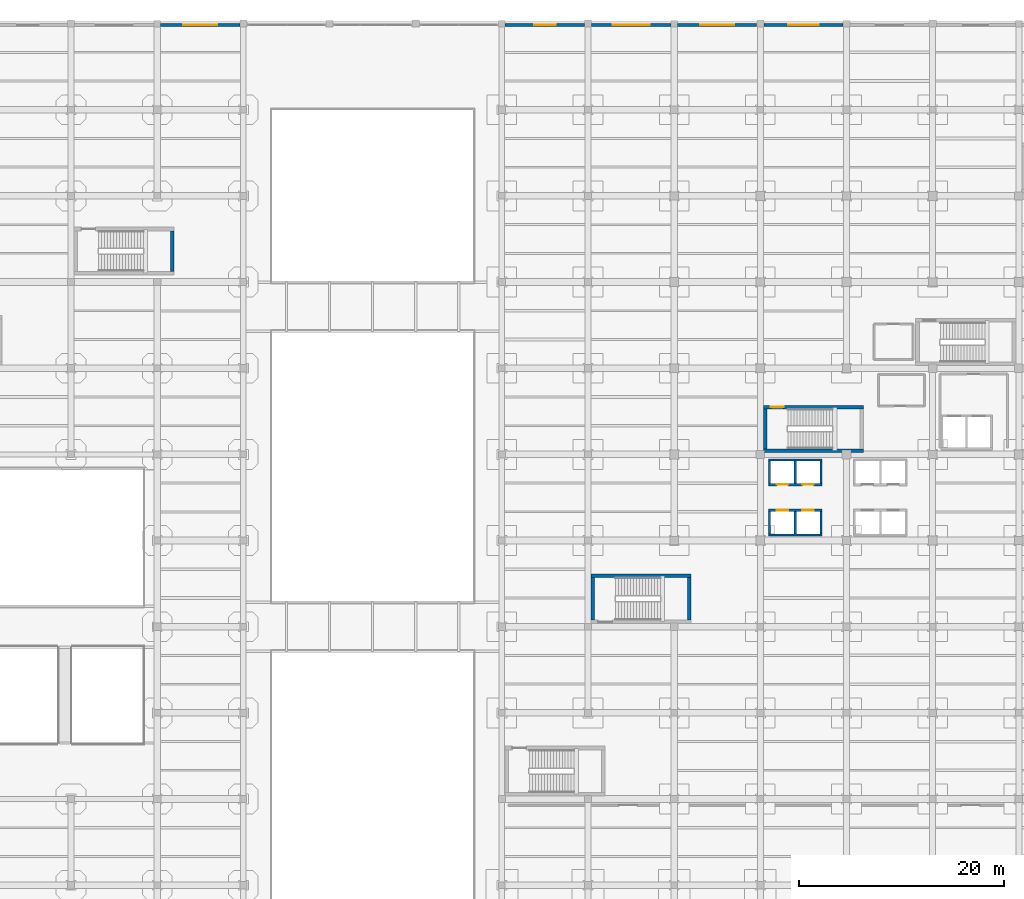
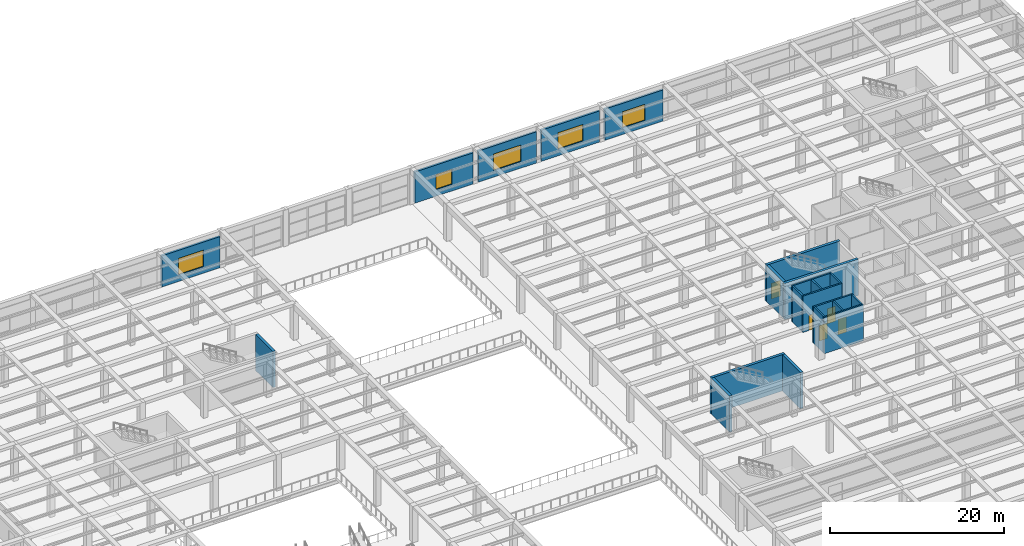
# One storey, part 50 of 65: 22 walls, 5 doors, 5 windows, 10 openings.
"""IFC4 building model written with IfcOpenShell, lengths in metres."""

from ifc_helpers import new_model, si_unit, direction, frame, frame_2d, origin, place, context, subcontext, project, spatial, rectangle, extrude, material, layer, layer_set, type_object, element, fill, save


model = new_model("IFC4")

# Units and contexts
model_context = context("Model", 3, precision=1e-05, world=origin(), true_north=direction((0.0, 1.0)))
body_context = subcontext(model_context, "Body", "Model", "MODEL_VIEW")
ifc_project = project(units=[si_unit("LENGTHUNIT", "METRE"), si_unit("AREAUNIT", "SQUARE_METRE"), si_unit("VOLUMEUNIT", "CUBIC_METRE"), si_unit("PLANEANGLEUNIT", "RADIAN"), si_unit("MASSUNIT", "GRAM", prefix="KILO")], contexts=[model_context])

# Site, building, storey
site_placement = place(None, origin())
site = spatial("IfcSite", under=ifc_project, at=site_placement, CompositionType="ELEMENT")
building_placement = place(site_placement, origin())
building = spatial("IfcBuilding", under=site, at=building_placement, Name="Almacenes y Pasaje Nevantli", CompositionType="ELEMENT")
storey_placement = place(building_placement, frame((0.0, 0.0, 16.800048828125)))
storey = spatial("IfcBuildingStorey", under=building, at=storey_placement, Name="L04", CompositionType="ELEMENT", Elevation=16.800048828125)

# Wall
ifc_material_1 = material(Name="Concrete C45/55", Category="concrete")
ifc_layer_1 = layer(ifc_material_1, 0.35009765625)
ifc_layer_set_1 = layer_set([ifc_layer_1], Name="Concrete C45/55")
wall_type_1 = type_object("IfcWallType", Name="WL-CORE-350", PredefinedType="SHEAR", material=ifc_layer_set_1)
wall_1_placement = place(storey_placement, frame((117.89990234375, 75.97509765625, 0.0), z_axis=(0.0, 0.0, 1.0), x_axis=(1.0, 0.0, 0.0)))
element("IfcWall", 1, at=wall_1_placement, inside=storey, type_object=wall_type_1, Name="L04 Exit Stair ST-01 South Core Shear Wall", PredefinedType="SHEAR", context=body_context, shape_type="SweptSolid", body=[
    extrude(rectangle(XDim=9.75, YDim=0.35009765625, at=frame_2d((4.875, 0.0))), origin(), (0.0, 0.0, 1.0), 5.099853515625),
])

# Wall, opening, door
wall_2_placement = place(storey_placement, frame((117.89990234375, 80.215087890625, 0.0), z_axis=(0.0, 0.0, 1.0), x_axis=(1.0, 0.0, 0.0)))
wall_2 = element("IfcWall", 2, at=wall_2_placement, inside=storey, type_object=wall_type_1, Name="L04 Exit Stair ST-01 North Core Shear Wall", PredefinedType="SHEAR", context=body_context, shape_type="SweptSolid", body=[
    extrude(rectangle(XDim=9.75, YDim=0.35009765625, at=frame_2d((4.875, 0.0))), origin(), (0.0, 0.0, 1.0), 5.099853515625),
])
opening_1_placement = place(wall_2_placement, frame((0.719970703125, 0.0, 0.0)))
opening_1 = element("IfcOpeningElement", 3, at=opening_1_placement, cuts=wall_2, Name="Opening SD-01-L04", PredefinedType="OPENING", context=body_context, shape_type="SweptSolid", body=[
    extrude(rectangle(XDim=1.25, YDim=2.199951171875, at=frame_2d((0.625, 1.10009765625))), frame((0.0, 0.18505859375, 0.0), z_axis=(0.0, -1.0, 0.0), x_axis=(1.0, 0.0, 0.0)), (0.0, 0.0, 1.0), 0.3701171875),
])
ifc_material_2 = material(Name="Galvanized Fire-Rated Steel", Category="steel")
door_type_1 = type_object("IfcDoorType", Name="DR-STAIR-1250", OperationType="SINGLE_SWING_LEFT", PredefinedType="DOOR", material=ifc_material_2)
door_1_placement = place(opening_1_placement, origin())
door_1 = element("IfcDoor", 4, at=door_1_placement, inside=storey, type_object=door_type_1, Name="L04 Smokeproof Exit Stair ST-01 Fire Door", OperationType="SINGLE_SWING_LEFT", OverallHeight=2.199951171875, OverallWidth=1.25, PredefinedType="DOOR", context=body_context, shape_type="SweptSolid", body=[
    extrude(rectangle(XDim=1.25, YDim=2.199951171875, at=frame_2d((0.625, 1.10009765625))), frame((0.0, 0.02490234375, 0.0), z_axis=(0.0, -1.0, 0.0), x_axis=(1.0, 0.0, 0.0)), (0.0, 0.0, 1.0), 0.050048828125),
])
fill(opening_1, door_1)

# Walls
wall_3_placement = place(storey_placement, frame((118.074951171875, 76.14990234375, 0.0), z_axis=(0.0, 0.0, 1.0), x_axis=(0.0, 1.0, 0.0)))
element("IfcWall", 5, at=wall_3_placement, inside=storey, type_object=wall_type_1, Name="L04 Exit Stair ST-01 West Core Shear Wall", PredefinedType="SHEAR", context=body_context, shape_type="SweptSolid", body=[
    extrude(rectangle(XDim=3.89013671875, YDim=0.35009765625, at=frame_2d((1.945068359375, 0.0))), origin(), (0.0, 0.0, 1.0), 5.099853515625),
])
wall_4_placement = place(storey_placement, frame((60.27490234375, 93.449951171875, 0.0), z_axis=(0.0, 0.0, 1.0), x_axis=(0.0, 1.0, 0.0)))
element("IfcWall", 6, at=wall_4_placement, inside=storey, type_object=wall_type_1, Name="L04 Exit Stair ST-05 East Core Shear Wall", PredefinedType="SHEAR", context=body_context, shape_type="SweptSolid", body=[
    extrude(rectangle(XDim=3.949951171875, YDim=0.35009765625, at=frame_2d((1.97509765625, 0.0))), origin(), (0.0, 0.0, 1.0), 5.099853515625),
])
wall_5_placement = place(storey_placement, frame((101.10009765625, 63.77490234375, 0.0), z_axis=(0.0, 0.0, 1.0), x_axis=(1.0, 0.0, 0.0)))
element("IfcWall", 7, at=wall_5_placement, inside=storey, type_object=wall_type_1, Name="L04 Exit Stair ST-13 North Core Shear Wall", PredefinedType="SHEAR", context=body_context, shape_type="SweptSolid", body=[
    extrude(rectangle(XDim=9.75, YDim=0.35009765625, at=frame_2d((4.875, 0.0))), origin(), (0.0, 0.0, 1.0), 5.099853515625),
])
for number, where, z_axis, x_axis, name in (
    (8, (101.27490234375, 59.449951171875, 0.0), (0.0, 0.0, 1.0), (0.0, 1.0, 0.0), "L04 Exit Stair ST-13 West Core Shear Wall"),
    (9, (110.675048828125, 59.449951171875, 0.0), (0.0, 0.0, 1.0), (0.0, 1.0, 0.0), "L04 Exit Stair ST-13 East Core Shear Wall"),
):
    element("IfcWall", number, at=place(storey_placement, frame(where, z_axis=z_axis, x_axis=x_axis)), inside=storey, type_object=wall_type_1, Name=name, PredefinedType="SHEAR", context=body_context, shape_type="SweptSolid", body=[
        extrude(rectangle(XDim=4.150146484375, YDim=0.35009765625, at=frame_2d((2.0751953125, 0.0))), origin(), (0.0, 0.0, 1.0), 5.099853515625),
    ])

# Wall, opening, window
ifc_material_3 = material(Name="Architectural Precast Concrete C35/45 Spandrel Wall", Category="concrete")
ifc_layer_2 = layer(ifc_material_3, 0.280029296875)
ifc_layer_set_2 = layer_set([ifc_layer_2], Name="Architectural Precast Concrete C35/45 Spandrel Wall")
wall_type_2 = type_object("IfcWallType", Name="WL-EXT-CANTERA-280", PredefinedType="SOLIDWALL", material=ifc_layer_set_2)
wall_6_placement = place(storey_placement, frame((59.1279296875, 117.449951171875, 0.0), z_axis=(0.0, 0.0, 1.0), x_axis=(1.0, 0.0, 0.0)))
wall_6 = element("IfcWall", 10, at=wall_6_placement, inside=storey, type_object=wall_type_2, Name="L04 Boulevard Frieze Oculus Wall Bay 8", PredefinedType="SOLIDWALL", context=body_context, shape_type="SweptSolid", body=[
    extrude(rectangle(XDim=7.719970703125, YDim=0.280029296875, at=frame_2d((3.85986328125, 0.0))), origin(), (0.0, 0.0, 1.0), 4.3798828125),
])
opening_2_placement = place(wall_6_placement, frame((2.221923828125, 0.0, 0.949951171875)))
opening_2 = element("IfcOpeningElement", 11, at=opening_2_placement, cuts=wall_6, Name="Opening WT-02-135", PredefinedType="OPENING", context=body_context, shape_type="SweptSolid", body=[
    extrude(rectangle(XDim=3.300048828125, YDim=2.300048828125, at=frame_2d((1.64990234375, 1.14990234375))), frame((0.0, 0.14990234375, 0.0), z_axis=(0.0, -1.0, 0.0), x_axis=(1.0, 0.0, 0.0)), (0.0, 0.0, 1.0), 0.300048828125),
])
ifc_material_4 = material(Name="Thermally Broken Aluminium and Low-E Double Glazing", Category="aluminium")
window_type_1 = type_object("IfcWindowType", Name="WN-OCU-3300", PartitioningType="SINGLE_PANEL", PredefinedType="WINDOW", material=ifc_material_4)
window_1_placement = place(opening_2_placement, origin())
window_1 = element("IfcWindow", 12, at=window_1_placement, inside=storey, type_object=window_type_1, Name="L04 Exterior Window WT-02 #135", OverallHeight=2.300048828125, OverallWidth=3.300048828125, PartitioningType="SINGLE_PANEL", PredefinedType="WINDOW", context=body_context, shape_type="SweptSolid", body=[
    extrude(rectangle(XDim=3.300048828125, YDim=2.300048828125, at=frame_2d((1.64990234375, 1.14990234375))), frame((0.0, 0.030029296875, 0.0), z_axis=(0.0, -1.0, 0.0), x_axis=(1.0, 0.0, 0.0)), (0.0, 0.0, 1.0), 0.06005859375),
])
fill(opening_2, window_1)

wall_7_placement = place(storey_placement, frame((92.72802734375, 117.449951171875, 0.0), z_axis=(0.0, 0.0, 1.0), x_axis=(1.0, 0.0, 0.0)))
wall_7 = element("IfcWall", 13, at=wall_7_placement, inside=storey, type_object=wall_type_2, Name="L04 Boulevard Frieze Oculus Wall Bay 12", PredefinedType="SOLIDWALL", context=body_context, shape_type="SweptSolid", body=[
    extrude(rectangle(XDim=7.719970703125, YDim=0.280029296875, at=frame_2d((3.85986328125, 0.0))), origin(), (0.0, 0.0, 1.0), 4.3798828125),
])
opening_3_placement = place(wall_7_placement, frame((2.822021484375, 0.0, 0.949951171875)))
opening_3 = element("IfcOpeningElement", 14, at=opening_3_placement, cuts=wall_7, Name="Opening WT-06-136", PredefinedType="OPENING", context=body_context, shape_type="SweptSolid", body=[
    extrude(rectangle(XDim=2.10009765625, YDim=2.10009765625, at=frame_2d((1.050048828125, 1.050048828125))), frame((0.0, 0.14990234375, 0.0), z_axis=(0.0, -1.0, 0.0), x_axis=(1.0, 0.0, 0.0)), (0.0, 0.0, 1.0), 0.300048828125),
])
ifc_material_5 = material(Name="Thermally Broken Aluminium and Low-E Double Glazing", Category="aluminium")
window_type_2 = type_object("IfcWindowType", Name="WN-OCU-2100", PartitioningType="SINGLE_PANEL", PredefinedType="WINDOW", material=ifc_material_5)
window_2_placement = place(opening_3_placement, origin())
window_2 = element("IfcWindow", 15, at=window_2_placement, inside=storey, type_object=window_type_2, Name="L04 Exterior Window WT-06 #136", OverallHeight=2.10009765625, OverallWidth=2.10009765625, PartitioningType="SINGLE_PANEL", PredefinedType="WINDOW", context=body_context, shape_type="SweptSolid", body=[
    extrude(rectangle(XDim=2.10009765625, YDim=2.10009765625, at=frame_2d((1.050048828125, 1.050048828125))), frame((0.0, 0.030029296875, 0.0), z_axis=(0.0, -1.0, 0.0), x_axis=(1.0, 0.0, 0.0)), (0.0, 0.0, 1.0), 0.06005859375),
])
fill(opening_3, window_2)

wall_8_placement = place(storey_placement, frame((101.152099609375, 117.449951171875, 0.0), z_axis=(0.0, 0.0, 1.0), x_axis=(1.0, 0.0, 0.0)))
wall_8 = element("IfcWall", 16, at=wall_8_placement, inside=storey, type_object=wall_type_2, Name="L04 Boulevard Frieze Oculus Wall Bay 13", PredefinedType="SOLIDWALL", context=body_context, shape_type="SweptSolid", body=[
    extrude(rectangle(XDim=7.719970703125, YDim=0.280029296875, at=frame_2d((3.85986328125, 0.0))), origin(), (0.0, 0.0, 1.0), 4.3798828125),
])
opening_4_placement = place(wall_8_placement, frame((2.048095703125, 0.0, 0.949951171875)))
opening_4 = element("IfcOpeningElement", 17, at=opening_4_placement, cuts=wall_8, Name="Opening WT-01-137", PredefinedType="OPENING", context=body_context, shape_type="SweptSolid", body=[
    extrude(rectangle(XDim=3.60009765625, YDim=2.300048828125, at=frame_2d((1.800048828125, 1.14990234375))), frame((0.0, 0.14990234375, 0.0), z_axis=(0.0, -1.0, 0.0), x_axis=(1.0, 0.0, 0.0)), (0.0, 0.0, 1.0), 0.300048828125),
])
ifc_material_6 = material(Name="Thermally Broken Aluminium and Low-E Double Glazing", Category="aluminium")
window_type_3 = type_object("IfcWindowType", Name="WN-OCU-3600", PartitioningType="SINGLE_PANEL", PredefinedType="WINDOW", material=ifc_material_6)
window_3_placement = place(opening_4_placement, origin())
window_3 = element("IfcWindow", 18, at=window_3_placement, inside=storey, type_object=window_type_3, Name="L04 Exterior Window WT-01 #137", OverallHeight=2.300048828125, OverallWidth=3.60009765625, PartitioningType="SINGLE_PANEL", PredefinedType="WINDOW", context=body_context, shape_type="SweptSolid", body=[
    extrude(rectangle(XDim=3.60009765625, YDim=2.300048828125, at=frame_2d((1.800048828125, 1.14990234375))), frame((0.0, 0.030029296875, 0.0), z_axis=(0.0, -1.0, 0.0), x_axis=(1.0, 0.0, 0.0)), (0.0, 0.0, 1.0), 0.06005859375),
])
fill(opening_4, window_3)

wall_9_placement = place(storey_placement, frame((109.528076171875, 117.449951171875, 0.0), z_axis=(0.0, 0.0, 1.0), x_axis=(1.0, 0.0, 0.0)))
wall_9 = element("IfcWall", 19, at=wall_9_placement, inside=storey, type_object=wall_type_2, Name="L04 Boulevard Frieze Oculus Wall Bay 14", PredefinedType="SOLIDWALL", context=body_context, shape_type="SweptSolid", body=[
    extrude(rectangle(XDim=7.718017578125, YDim=0.280029296875, at=frame_2d((3.85888671875, 0.0))), origin(), (0.0, 0.0, 1.0), 4.3798828125),
])
opening_5_placement = place(wall_9_placement, frame((2.221923828125, 0.0, 0.949951171875)))
opening_5 = element("IfcOpeningElement", 20, at=opening_5_placement, cuts=wall_9, Name="Opening WT-02-138", PredefinedType="OPENING", context=body_context, shape_type="SweptSolid", body=[
    extrude(rectangle(XDim=3.300048828125, YDim=2.300048828125, at=frame_2d((1.64990234375, 1.14990234375))), frame((0.0, 0.14990234375, 0.0), z_axis=(0.0, -1.0, 0.0), x_axis=(1.0, 0.0, 0.0)), (0.0, 0.0, 1.0), 0.300048828125),
])
window_4_placement = place(opening_5_placement, origin())
window_4 = element("IfcWindow", 21, at=window_4_placement, inside=storey, type_object=window_type_1, Name="L04 Exterior Window WT-02 #138", OverallHeight=2.300048828125, OverallWidth=3.300048828125, PartitioningType="SINGLE_PANEL", PredefinedType="WINDOW", context=body_context, shape_type="SweptSolid", body=[
    extrude(rectangle(XDim=3.300048828125, YDim=2.300048828125, at=frame_2d((1.64990234375, 1.14990234375))), frame((0.0, 0.030029296875, 0.0), z_axis=(0.0, -1.0, 0.0), x_axis=(1.0, 0.0, 0.0)), (0.0, 0.0, 1.0), 0.06005859375),
])
fill(opening_5, window_4)

wall_10_placement = place(storey_placement, frame((117.951904296875, 117.449951171875, 0.0), z_axis=(0.0, 0.0, 1.0), x_axis=(1.0, 0.0, 0.0)))
wall_10 = element("IfcWall", 22, at=wall_10_placement, inside=storey, type_object=wall_type_2, Name="L04 Boulevard Frieze Oculus Wall Bay 15", PredefinedType="SOLIDWALL", context=body_context, shape_type="SweptSolid", body=[
    extrude(rectangle(XDim=7.72021484375, YDim=0.280029296875, at=frame_2d((3.860107421875, 0.0))), origin(), (0.0, 0.0, 1.0), 4.3798828125),
])
opening_6_placement = place(wall_10_placement, frame((2.347900390625, 0.0, 0.949951171875)))
opening_6 = element("IfcOpeningElement", 23, at=opening_6_placement, cuts=wall_10, Name="Opening WT-03-139", PredefinedType="OPENING", context=body_context, shape_type="SweptSolid", body=[
    extrude(rectangle(XDim=3.0, YDim=2.25, at=frame_2d((1.5, 1.125))), frame((0.0, 0.14990234375, 0.0), z_axis=(0.0, -1.0, 0.0), x_axis=(1.0, 0.0, 0.0)), (0.0, 0.0, 1.0), 0.300048828125),
])
ifc_material_7 = material(Name="Thermally Broken Aluminium and Low-E Double Glazing", Category="aluminium")
window_type_4 = type_object("IfcWindowType", Name="WN-OCU-3000", PartitioningType="SINGLE_PANEL", PredefinedType="WINDOW", material=ifc_material_7)
window_5_placement = place(opening_6_placement, origin())
window_5 = element("IfcWindow", 24, at=window_5_placement, inside=storey, type_object=window_type_4, Name="L04 Exterior Window WT-03 #139", OverallHeight=2.25, OverallWidth=3.0, PartitioningType="SINGLE_PANEL", PredefinedType="WINDOW", context=body_context, shape_type="SweptSolid", body=[
    extrude(rectangle(XDim=3.0, YDim=2.25, at=frame_2d((1.5, 1.125))), frame((0.0, 0.030029296875, 0.0), z_axis=(0.0, -1.0, 0.0), x_axis=(1.0, 0.0, 0.0)), (0.0, 0.0, 1.0), 0.06005859375),
])
fill(opening_6, window_5)

# Wall
ifc_material_8 = material(Name="Concrete C45/55", Category="concrete")
ifc_layer_3 = layer(ifc_material_8, 0.2099609375)
ifc_layer_set_3 = layer_set([ifc_layer_3], Name="Concrete C45/55")
wall_type_3 = type_object("IfcWallType", Name="WL-SHAFT-210", PredefinedType="SHEAR", material=ifc_layer_set_3)
wall_11_placement = place(storey_placement, frame((118.389892578125, 67.7451171875, 0.0), z_axis=(0.0, 0.0, 1.0), x_axis=(1.0, 0.0, 0.0)))
element("IfcWall", 25, at=wall_11_placement, inside=storey, type_object=wall_type_3, Name="L04 Lift Hoistway ELV-P05-ELV-P06 South Wall", PredefinedType="SHEAR", context=body_context, shape_type="SweptSolid", body=[
    extrude(rectangle(XDim=5.22021484375, YDim=0.2099609375, at=frame_2d((2.610107421875, 0.0))), origin(), (0.0, 0.0, 1.0), 5.099853515625),
])

# Wall, openings, doors
wall_12_placement = place(storey_placement, frame((118.389892578125, 70.155029296875, 0.0), z_axis=(0.0, 0.0, 1.0), x_axis=(1.0, 0.0, 0.0)))
wall_12 = element("IfcWall", 26, at=wall_12_placement, inside=storey, type_object=wall_type_3, Name="L04 Lift Hoistway ELV-P05-ELV-P06 North Wall", PredefinedType="SHEAR", context=body_context, shape_type="SweptSolid", body=[
    extrude(rectangle(XDim=5.22021484375, YDim=0.2099609375, at=frame_2d((2.610107421875, 0.0))), origin(), (0.0, 0.0, 1.0), 5.099853515625),
])
opening_7_placement = place(wall_12_placement, frame((0.81005859375, 0.0, 0.0)))
opening_7 = element("IfcOpeningElement", 27, at=opening_7_placement, cuts=wall_12, Name="Opening LD-P05-L04", PredefinedType="OPENING", context=body_context, shape_type="SweptSolid", body=[
    extrude(rectangle(XDim=1.10009765625, YDim=2.14990234375, at=frame_2d((0.550048828125, 1.074951171875))), frame((0.0, 0.114990234375, 0.0), z_axis=(0.0, -1.0, 0.0), x_axis=(1.0, 0.0, 0.0)), (0.0, 0.0, 1.0), 0.22998046875),
])
opening_8_placement = place(wall_12_placement, frame((3.31005859375, 0.0, 0.0)))
opening_8 = element("IfcOpeningElement", 28, at=opening_8_placement, cuts=wall_12, Name="Opening LD-P06-L04", PredefinedType="OPENING", context=body_context, shape_type="SweptSolid", body=[
    extrude(rectangle(XDim=1.10009765625, YDim=2.14990234375, at=frame_2d((0.550048828125, 1.074951171875))), frame((0.0, 0.114990234375, 0.0), z_axis=(0.0, -1.0, 0.0), x_axis=(1.0, 0.0, 0.0)), (0.0, 0.0, 1.0), 0.22998046875),
])
ifc_material_9 = material(Name="Brushed Stainless Steel", Category="steel")
door_type_2 = type_object("IfcDoorType", Name="DR-LD-PASS-1100", OperationType="DOUBLE_DOOR_SLIDING", PredefinedType="DOOR", material=ifc_material_9)
door_2_placement = place(opening_7_placement, origin())
door_2 = element("IfcDoor", 29, at=door_2_placement, inside=storey, type_object=door_type_2, Name="Lift Landing Door ELV-P05 L04", OperationType="DOUBLE_DOOR_SLIDING", OverallHeight=2.14990234375, OverallWidth=1.10009765625, PredefinedType="DOOR", context=body_context, shape_type="SweptSolid", body=[
    extrude(rectangle(XDim=1.10009765625, YDim=2.14990234375, at=frame_2d((0.550048828125, 1.074951171875))), frame((0.0, 0.02490234375, 0.0), z_axis=(0.0, -1.0, 0.0), x_axis=(1.0, 0.0, 0.0)), (0.0, 0.0, 1.0), 0.050048828125),
])
fill(opening_7, door_2)
door_3_placement = place(opening_8_placement, origin())
door_3 = element("IfcDoor", 30, at=door_3_placement, inside=storey, type_object=door_type_2, Name="Lift Landing Door ELV-P06 L04", OperationType="DOUBLE_DOOR_SLIDING", OverallHeight=2.14990234375, OverallWidth=1.10009765625, PredefinedType="DOOR", context=body_context, shape_type="SweptSolid", body=[
    extrude(rectangle(XDim=1.10009765625, YDim=2.14990234375, at=frame_2d((0.550048828125, 1.074951171875))), frame((0.0, 0.02490234375, 0.0), z_axis=(0.0, -1.0, 0.0), x_axis=(1.0, 0.0, 0.0)), (0.0, 0.0, 1.0), 0.050048828125),
])
fill(opening_8, door_3)

# Walls
for number, where, z_axis, x_axis, name in (
    (31, (118.4951171875, 67.85009765625, 0.0), (0.0, 0.0, 1.0), (0.0, 1.0, 0.0), "L04 Lift Hoistway ELV-P05 West Wall"),
    (32, (123.5048828125, 67.85009765625, 0.0), (0.0, 0.0, 1.0), (0.0, 1.0, 0.0), "L04 Lift Hoistway ELV-P06 East Wall"),
    (33, (121.0, 67.85009765625, 0.0), (0.0, 0.0, 1.0), (0.0, 1.0, 0.0), "L04 Lift Hoistway Divider Wall ELV-P05/ELV-P06"),
):
    element("IfcWall", number, at=place(storey_placement, frame(where, z_axis=z_axis, x_axis=x_axis)), inside=storey, type_object=wall_type_3, Name=name, PredefinedType="SHEAR", context=body_context, shape_type="SweptSolid", body=[
        extrude(rectangle(XDim=2.199951171875, YDim=0.2099609375, at=frame_2d((1.10009765625, 0.0))), origin(), (0.0, 0.0, 1.0), 5.099853515625),
    ])

# Wall, openings, doors
wall_13_placement = place(storey_placement, frame((118.389892578125, 72.64501953125, 0.0), z_axis=(0.0, 0.0, 1.0), x_axis=(1.0, 0.0, 0.0)))
wall_13 = element("IfcWall", 34, at=wall_13_placement, inside=storey, type_object=wall_type_3, Name="L04 Lift Hoistway ELV-P07-ELV-P08 South Wall", PredefinedType="SHEAR", context=body_context, shape_type="SweptSolid", body=[
    extrude(rectangle(XDim=5.22021484375, YDim=0.2099609375, at=frame_2d((2.610107421875, 0.0))), origin(), (0.0, 0.0, 1.0), 5.099853515625),
])
opening_9_placement = place(wall_13_placement, frame((0.81005859375, 0.0, 0.0)))
opening_9 = element("IfcOpeningElement", 35, at=opening_9_placement, cuts=wall_13, Name="Opening LD-P07-L04", PredefinedType="OPENING", context=body_context, shape_type="SweptSolid", body=[
    extrude(rectangle(XDim=1.10009765625, YDim=2.14990234375, at=frame_2d((0.550048828125, 1.074951171875))), frame((0.0, 0.114990234375, 0.0), z_axis=(0.0, -1.0, 0.0), x_axis=(1.0, 0.0, 0.0)), (0.0, 0.0, 1.0), 0.22998046875),
])
opening_10_placement = place(wall_13_placement, frame((3.31005859375, 0.0, 0.0)))
opening_10 = element("IfcOpeningElement", 36, at=opening_10_placement, cuts=wall_13, Name="Opening LD-P08-L04", PredefinedType="OPENING", context=body_context, shape_type="SweptSolid", body=[
    extrude(rectangle(XDim=1.10009765625, YDim=2.14990234375, at=frame_2d((0.550048828125, 1.074951171875))), frame((0.0, 0.114990234375, 0.0), z_axis=(0.0, -1.0, 0.0), x_axis=(1.0, 0.0, 0.0)), (0.0, 0.0, 1.0), 0.22998046875),
])
door_4_placement = place(opening_9_placement, origin())
door_4 = element("IfcDoor", 37, at=door_4_placement, inside=storey, type_object=door_type_2, Name="Lift Landing Door ELV-P07 L04", OperationType="DOUBLE_DOOR_SLIDING", OverallHeight=2.14990234375, OverallWidth=1.10009765625, PredefinedType="DOOR", context=body_context, shape_type="SweptSolid", body=[
    extrude(rectangle(XDim=1.10009765625, YDim=2.14990234375, at=frame_2d((0.550048828125, 1.074951171875))), frame((0.0, 0.02490234375, 0.0), z_axis=(0.0, -1.0, 0.0), x_axis=(1.0, 0.0, 0.0)), (0.0, 0.0, 1.0), 0.050048828125),
])
fill(opening_9, door_4)
door_5_placement = place(opening_10_placement, origin())
door_5 = element("IfcDoor", 38, at=door_5_placement, inside=storey, type_object=door_type_2, Name="Lift Landing Door ELV-P08 L04", OperationType="DOUBLE_DOOR_SLIDING", OverallHeight=2.14990234375, OverallWidth=1.10009765625, PredefinedType="DOOR", context=body_context, shape_type="SweptSolid", body=[
    extrude(rectangle(XDim=1.10009765625, YDim=2.14990234375, at=frame_2d((0.550048828125, 1.074951171875))), frame((0.0, 0.02490234375, 0.0), z_axis=(0.0, -1.0, 0.0), x_axis=(1.0, 0.0, 0.0)), (0.0, 0.0, 1.0), 0.050048828125),
])
fill(opening_10, door_5)

# Walls
wall_14_placement = place(storey_placement, frame((118.389892578125, 75.054931640625, 0.0), z_axis=(0.0, 0.0, 1.0), x_axis=(1.0, 0.0, 0.0)))
element("IfcWall", 39, at=wall_14_placement, inside=storey, type_object=wall_type_3, Name="L04 Lift Hoistway ELV-P07-ELV-P08 North Wall", PredefinedType="SHEAR", context=body_context, shape_type="SweptSolid", body=[
    extrude(rectangle(XDim=5.22021484375, YDim=0.2099609375, at=frame_2d((2.610107421875, 0.0))), origin(), (0.0, 0.0, 1.0), 5.099853515625),
])
for number, where, z_axis, x_axis, name in (
    (40, (118.4951171875, 72.75, 0.0), (0.0, 0.0, 1.0), (0.0, 1.0, 0.0), "L04 Lift Hoistway ELV-P07 West Wall"),
    (41, (123.5048828125, 72.75, 0.0), (0.0, 0.0, 1.0), (0.0, 1.0, 0.0), "L04 Lift Hoistway ELV-P08 East Wall"),
    (42, (121.0, 72.75, 0.0), (0.0, 0.0, 1.0), (0.0, 1.0, 0.0), "L04 Lift Hoistway Divider Wall ELV-P07/ELV-P08"),
):
    element("IfcWall", number, at=place(storey_placement, frame(where, z_axis=z_axis, x_axis=x_axis)), inside=storey, type_object=wall_type_3, Name=name, PredefinedType="SHEAR", context=body_context, shape_type="SweptSolid", body=[
        extrude(rectangle(XDim=2.199951171875, YDim=0.2099609375, at=frame_2d((1.10009765625, 0.0))), origin(), (0.0, 0.0, 1.0), 5.099853515625),
    ])

save(model, "model.ifc")
